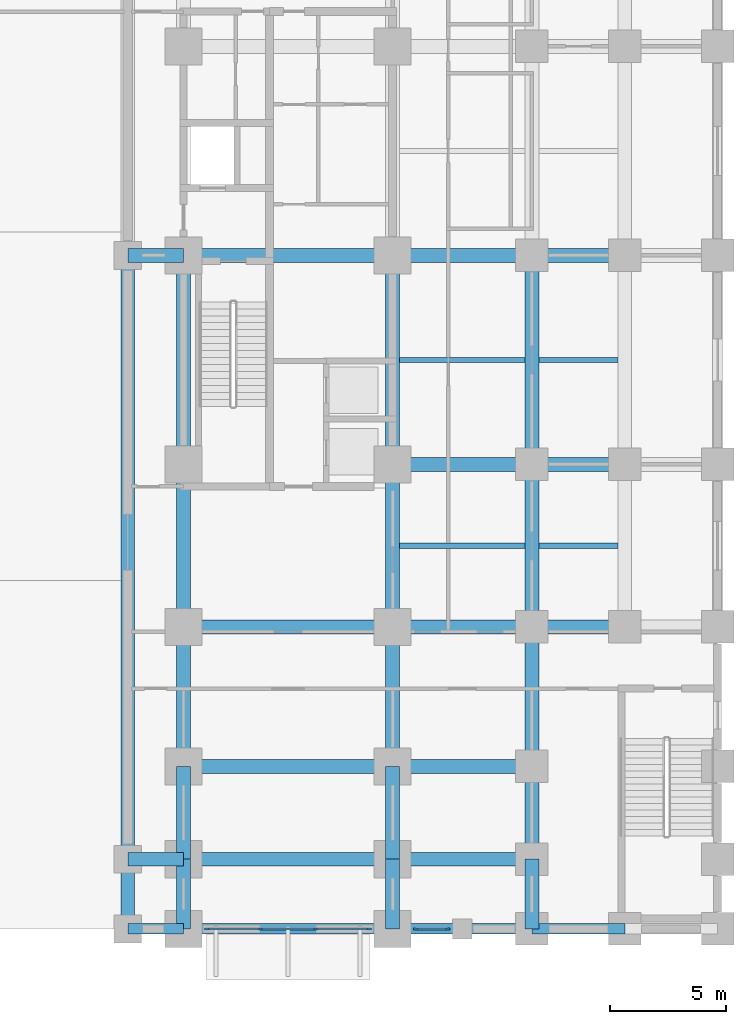
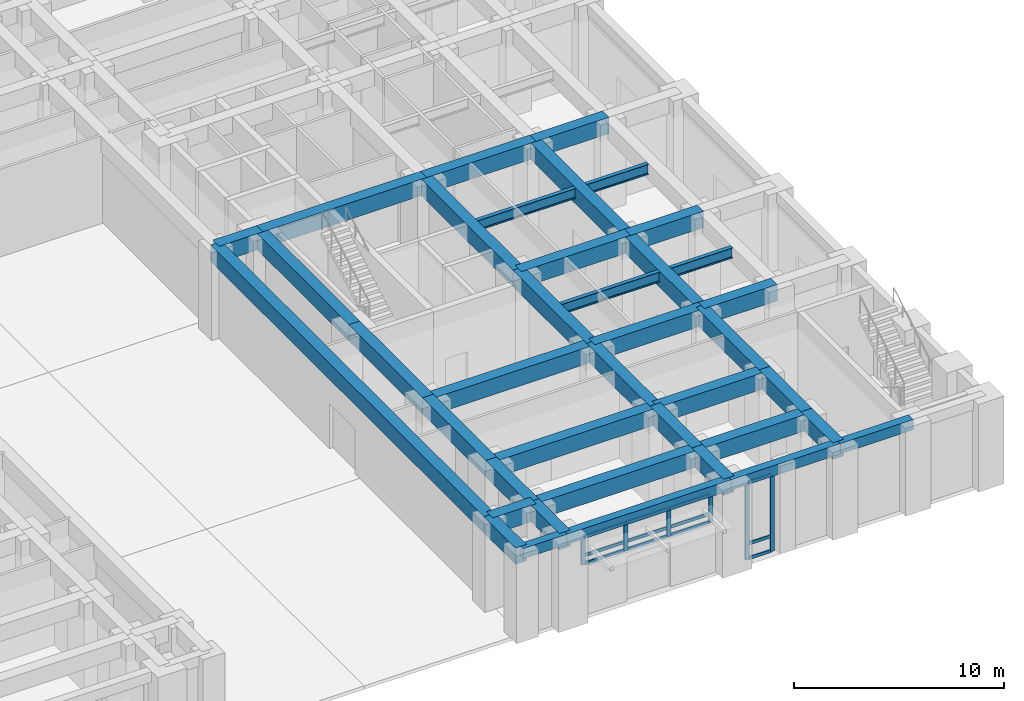
# One storey, part 3 of 20: 39 beams, 18 members, 2 elements without a shape of their own.
"""IFC4 building model written with IfcOpenShell, lengths in metres."""

from ifc_helpers import new_model, si_unit, direction, frame, origin, origin_2d, place, context, subcontext, project, spatial, rectangle, i_section, extrude, material, material_profile, profile_set, type_object, element, aggregate, save


model = new_model("IFC4")

# Units and contexts
model_context = context("Model", 3, precision=1e-05, world=origin(), true_north=direction((0.0, 1.0)))
body_context = subcontext(model_context, "Body", "Model", "MODEL_VIEW")
ifc_project = project(units=[si_unit("LENGTHUNIT", "METRE"), si_unit("AREAUNIT", "SQUARE_METRE"), si_unit("VOLUMEUNIT", "CUBIC_METRE"), si_unit("PLANEANGLEUNIT", "RADIAN"), si_unit("MASSUNIT", "GRAM", prefix="KILO")], contexts=[model_context])

# Site, building, storey
site_placement = place(None, origin())
site = spatial("IfcSite", under=ifc_project, at=site_placement, CompositionType="ELEMENT")
building_placement = place(site_placement, origin())
building = spatial("IfcBuilding", under=site, at=building_placement, Name="Zulmaris Gate Convention Tower", CompositionType="ELEMENT")
storey_placement = place(building_placement, origin())
storey = spatial("IfcBuildingStorey", under=building, at=storey_placement, Name="L00", CompositionType="ELEMENT", Elevation=0.0)

# Beams
ifc_material_1 = material(Name="Concrete C60/75", Category="concrete")
ifc_material_profile_1 = material_profile(ifc_material_1, rectangle(XDim=0.60009765625, YDim=0.949951171875, at=origin_2d()), Name="RC BEAM 600x950")
ifc_profile_set_1 = profile_set([ifc_material_profile_1], Name="Concrete C60/75")
beam_type_1 = type_object("IfcBeamType", Name="BM-RC600x950", PredefinedType="BEAM", material=ifc_profile_set_1)
beam_1_placement = place(storey_placement, frame((8.60009765625, -26.0, 4.614990234375), z_axis=(1.0, 0.0, 0.0), x_axis=(0.0, 1.0, 0.0)))
element("IfcBeam", 1, at=beam_1_placement, inside=storey, type_object=beam_type_1, Name="L00 Beam BM-L00-X--26.0-+8.6", PredefinedType="BEAM", context=body_context, shape_type="SweptSolid", body=[
    extrude(rectangle(XDim=0.60009765625, YDim=0.949951171875, at=origin_2d()), origin(), (0.0, 0.0, 1.0), 2.39990234375),
])
beam_2_placement = place(storey_placement, frame((11.0, -26.0, 4.614990234375), z_axis=(1.0, 0.0, 0.0), x_axis=(0.0, 1.0, 0.0)))
element("IfcBeam", 2, at=beam_2_placement, inside=storey, type_object=beam_type_1, Name="L00 Beam BM-L00-X--26.0-+11.0", PredefinedType="BEAM", context=body_context, shape_type="SweptSolid", body=[
    extrude(rectangle(XDim=0.60009765625, YDim=0.949951171875, at=origin_2d()), origin(), (0.0, 0.0, 1.0), 9.0),
])
beam_3_placement = place(storey_placement, frame((20.0, -26.0, 4.614990234375), z_axis=(1.0, 0.0, 0.0), x_axis=(0.0, 1.0, 0.0)))
element("IfcBeam", 3, at=beam_3_placement, inside=storey, type_object=beam_type_1, Name="L00 Beam BM-L00-X--26.0-+20.0", PredefinedType="BEAM", context=body_context, shape_type="SweptSolid", body=[
    extrude(rectangle(XDim=0.60009765625, YDim=0.949951171875, at=origin_2d()), origin(), (0.0, 0.0, 1.0), 6.0),
])
beam_4_placement = place(storey_placement, frame((11.0, -22.0, 4.614990234375), z_axis=(1.0, 0.0, 0.0), x_axis=(0.0, 1.0, 0.0)))
element("IfcBeam", 4, at=beam_4_placement, inside=storey, type_object=beam_type_1, Name="L00 Beam BM-L00-X--22.0-+11.0", PredefinedType="BEAM", context=body_context, shape_type="SweptSolid", body=[
    extrude(rectangle(XDim=0.60009765625, YDim=0.949951171875, at=origin_2d()), origin(), (0.0, 0.0, 1.0), 9.0),
])
beam_5_placement = place(storey_placement, frame((20.0, -22.0, 4.614990234375), z_axis=(1.0, 0.0, 0.0), x_axis=(0.0, 1.0, 0.0)))
element("IfcBeam", 5, at=beam_5_placement, inside=storey, type_object=beam_type_1, Name="L00 Beam BM-L00-X--22.0-+20.0", PredefinedType="BEAM", context=body_context, shape_type="SweptSolid", body=[
    extrude(rectangle(XDim=0.60009765625, YDim=0.949951171875, at=origin_2d()), origin(), (0.0, 0.0, 1.0), 6.0),
])
beam_6_placement = place(storey_placement, frame((11.0, -16.0, 4.614990234375), z_axis=(1.0, 0.0, 0.0), x_axis=(0.0, 1.0, 0.0)))
element("IfcBeam", 6, at=beam_6_placement, inside=storey, type_object=beam_type_1, Name="L00 Beam BM-L00-X--16.0-+11.0", PredefinedType="BEAM", context=body_context, shape_type="SweptSolid", body=[
    extrude(rectangle(XDim=0.60009765625, YDim=0.949951171875, at=origin_2d()), origin(), (0.0, 0.0, 1.0), 9.0),
])
beam_7_placement = place(storey_placement, frame((20.0, -16.0, 4.614990234375), z_axis=(1.0, 0.0, 0.0), x_axis=(0.0, 1.0, 0.0)))
element("IfcBeam", 7, at=beam_7_placement, inside=storey, type_object=beam_type_1, Name="L00 Beam BM-L00-X--16.0-+20.0", PredefinedType="BEAM", context=body_context, shape_type="SweptSolid", body=[
    extrude(rectangle(XDim=0.60009765625, YDim=0.949951171875, at=origin_2d()), origin(), (0.0, 0.0, 1.0), 6.0),
])
beam_8_placement = place(storey_placement, frame((26.0, -16.0, 4.614990234375), z_axis=(1.0, 0.0, 0.0), x_axis=(0.0, 1.0, 0.0)))
element("IfcBeam", 8, at=beam_8_placement, inside=storey, type_object=beam_type_1, Name="L00 Beam BM-L00-X--16.0-+26.0", PredefinedType="BEAM", context=body_context, shape_type="SweptSolid", body=[
    extrude(rectangle(XDim=0.60009765625, YDim=0.949951171875, at=origin_2d()), origin(), (0.0, 0.0, 1.0), 4.0),
])
beam_9_placement = place(storey_placement, frame((20.0, -9.0, 4.614990234375), z_axis=(1.0, 0.0, 0.0), x_axis=(0.0, 1.0, 0.0)))
element("IfcBeam", 9, at=beam_9_placement, inside=storey, type_object=beam_type_1, Name="L00 Beam BM-L00-X--9.0-+20.0", PredefinedType="BEAM", context=body_context, shape_type="SweptSolid", body=[
    extrude(rectangle(XDim=0.60009765625, YDim=0.949951171875, at=origin_2d()), origin(), (0.0, 0.0, 1.0), 6.0),
])
beam_10_placement = place(storey_placement, frame((26.0, -9.0, 4.614990234375), z_axis=(1.0, 0.0, 0.0), x_axis=(0.0, 1.0, 0.0)))
element("IfcBeam", 10, at=beam_10_placement, inside=storey, type_object=beam_type_1, Name="L00 Beam BM-L00-X--9.0-+26.0", PredefinedType="BEAM", context=body_context, shape_type="SweptSolid", body=[
    extrude(rectangle(XDim=0.60009765625, YDim=0.949951171875, at=origin_2d()), origin(), (0.0, 0.0, 1.0), 4.0),
])
beam_11_placement = place(storey_placement, frame((8.60009765625, 0.0, 4.614990234375), z_axis=(1.0, 0.0, 0.0), x_axis=(0.0, 1.0, 0.0)))
element("IfcBeam", 11, at=beam_11_placement, inside=storey, type_object=beam_type_1, Name="L00 Beam BM-L00-X-+0.0-+8.6", PredefinedType="BEAM", context=body_context, shape_type="SweptSolid", body=[
    extrude(rectangle(XDim=0.60009765625, YDim=0.949951171875, at=origin_2d()), origin(), (0.0, 0.0, 1.0), 2.39990234375),
])
beam_12_placement = place(storey_placement, frame((11.0, 0.0, 4.614990234375), z_axis=(1.0, 0.0, 0.0), x_axis=(0.0, 1.0, 0.0)))
element("IfcBeam", 12, at=beam_12_placement, inside=storey, type_object=beam_type_1, Name="L00 Beam BM-L00-X-+0.0-+11.0", PredefinedType="BEAM", context=body_context, shape_type="SweptSolid", body=[
    extrude(rectangle(XDim=0.60009765625, YDim=0.949951171875, at=origin_2d()), origin(), (0.0, 0.0, 1.0), 9.0),
])
beam_13_placement = place(storey_placement, frame((20.0, 0.0, 4.614990234375), z_axis=(1.0, 0.0, 0.0), x_axis=(0.0, 1.0, 0.0)))
element("IfcBeam", 13, at=beam_13_placement, inside=storey, type_object=beam_type_1, Name="L00 Beam BM-L00-X-+0.0-+20.0", PredefinedType="BEAM", context=body_context, shape_type="SweptSolid", body=[
    extrude(rectangle(XDim=0.60009765625, YDim=0.949951171875, at=origin_2d()), origin(), (0.0, 0.0, 1.0), 6.0),
])
beam_14_placement = place(storey_placement, frame((26.0, 0.0, 4.614990234375), z_axis=(1.0, 0.0, 0.0), x_axis=(0.0, 1.0, 0.0)))
element("IfcBeam", 14, at=beam_14_placement, inside=storey, type_object=beam_type_1, Name="L00 Beam BM-L00-X-+0.0-+26.0", PredefinedType="BEAM", context=body_context, shape_type="SweptSolid", body=[
    extrude(rectangle(XDim=0.60009765625, YDim=0.949951171875, at=origin_2d()), origin(), (0.0, 0.0, 1.0), 4.0),
])
beam_15_placement = place(storey_placement, frame((8.60009765625, -29.0, 4.614990234375), z_axis=(0.0, 1.0, 0.0), x_axis=(-1.0, 0.0, 0.0)))
element("IfcBeam", 15, at=beam_15_placement, inside=storey, type_object=beam_type_1, Name="L00 Beam BM-L00-Y-+8.6--29.0", PredefinedType="BEAM", context=body_context, shape_type="SweptSolid", body=[
    extrude(rectangle(XDim=0.60009765625, YDim=0.949951171875, at=origin_2d()), origin(), (0.0, 0.0, 1.0), 3.0),
])
beam_16_placement = place(storey_placement, frame((8.60009765625, -26.0, 4.614990234375), z_axis=(0.0, 1.0, 0.0), x_axis=(-1.0, 0.0, 0.0)))
element("IfcBeam", 16, at=beam_16_placement, inside=storey, type_object=beam_type_1, Name="L00 Beam BM-L00-Y-+8.6--26.0", PredefinedType="BEAM", context=body_context, shape_type="SweptSolid", body=[
    extrude(rectangle(XDim=0.60009765625, YDim=0.949951171875, at=origin_2d()), origin(), (0.0, 0.0, 1.0), 26.0),
])
beam_17_placement = place(storey_placement, frame((11.0, -29.0, 4.614990234375), z_axis=(0.0, 1.0, 0.0), x_axis=(-1.0, 0.0, 0.0)))
element("IfcBeam", 17, at=beam_17_placement, inside=storey, type_object=beam_type_1, Name="L00 Beam BM-L00-Y-+11.0--29.0", PredefinedType="BEAM", context=body_context, shape_type="SweptSolid", body=[
    extrude(rectangle(XDim=0.60009765625, YDim=0.949951171875, at=origin_2d()), origin(), (0.0, 0.0, 1.0), 3.0),
])
beam_18_placement = place(storey_placement, frame((11.0, -26.0, 4.614990234375), z_axis=(0.0, 1.0, 0.0), x_axis=(-1.0, 0.0, 0.0)))
element("IfcBeam", 18, at=beam_18_placement, inside=storey, type_object=beam_type_1, Name="L00 Beam BM-L00-Y-+11.0--26.0", PredefinedType="BEAM", context=body_context, shape_type="SweptSolid", body=[
    extrude(rectangle(XDim=0.60009765625, YDim=0.949951171875, at=origin_2d()), origin(), (0.0, 0.0, 1.0), 4.0),
])
beam_19_placement = place(storey_placement, frame((11.0, -22.0, 4.614990234375), z_axis=(0.0, 1.0, 0.0), x_axis=(-1.0, 0.0, 0.0)))
element("IfcBeam", 19, at=beam_19_placement, inside=storey, type_object=beam_type_1, Name="L00 Beam BM-L00-Y-+11.0--22.0", PredefinedType="BEAM", context=body_context, shape_type="SweptSolid", body=[
    extrude(rectangle(XDim=0.60009765625, YDim=0.949951171875, at=origin_2d()), origin(), (0.0, 0.0, 1.0), 6.0),
])
beam_20_placement = place(storey_placement, frame((11.0, -16.0, 4.614990234375), z_axis=(0.0, 1.0, 0.0), x_axis=(-1.0, 0.0, 0.0)))
element("IfcBeam", 20, at=beam_20_placement, inside=storey, type_object=beam_type_1, Name="L00 Beam BM-L00-Y-+11.0--16.0", PredefinedType="BEAM", context=body_context, shape_type="SweptSolid", body=[
    extrude(rectangle(XDim=0.60009765625, YDim=0.949951171875, at=origin_2d()), origin(), (0.0, 0.0, 1.0), 7.0),
])
beam_21_placement = place(storey_placement, frame((11.0, -9.0, 4.614990234375), z_axis=(0.0, 1.0, 0.0), x_axis=(-1.0, 0.0, 0.0)))
element("IfcBeam", 21, at=beam_21_placement, inside=storey, type_object=beam_type_1, Name="L00 Beam BM-L00-Y-+11.0--9.0", PredefinedType="BEAM", context=body_context, shape_type="SweptSolid", body=[
    extrude(rectangle(XDim=0.60009765625, YDim=0.949951171875, at=origin_2d()), origin(), (0.0, 0.0, 1.0), 9.0),
])
beam_22_placement = place(storey_placement, frame((20.0, -29.0, 4.614990234375), z_axis=(0.0, 1.0, 0.0), x_axis=(-1.0, 0.0, 0.0)))
element("IfcBeam", 22, at=beam_22_placement, inside=storey, type_object=beam_type_1, Name="L00 Beam BM-L00-Y-+20.0--29.0", PredefinedType="BEAM", context=body_context, shape_type="SweptSolid", body=[
    extrude(rectangle(XDim=0.60009765625, YDim=0.949951171875, at=origin_2d()), origin(), (0.0, 0.0, 1.0), 3.0),
])
beam_23_placement = place(storey_placement, frame((20.0, -26.0, 4.614990234375), z_axis=(0.0, 1.0, 0.0), x_axis=(-1.0, 0.0, 0.0)))
element("IfcBeam", 23, at=beam_23_placement, inside=storey, type_object=beam_type_1, Name="L00 Beam BM-L00-Y-+20.0--26.0", PredefinedType="BEAM", context=body_context, shape_type="SweptSolid", body=[
    extrude(rectangle(XDim=0.60009765625, YDim=0.949951171875, at=origin_2d()), origin(), (0.0, 0.0, 1.0), 4.0),
])
beam_24_placement = place(storey_placement, frame((20.0, -22.0, 4.614990234375), z_axis=(0.0, 1.0, 0.0), x_axis=(-1.0, 0.0, 0.0)))
element("IfcBeam", 24, at=beam_24_placement, inside=storey, type_object=beam_type_1, Name="L00 Beam BM-L00-Y-+20.0--22.0", PredefinedType="BEAM", context=body_context, shape_type="SweptSolid", body=[
    extrude(rectangle(XDim=0.60009765625, YDim=0.949951171875, at=origin_2d()), origin(), (0.0, 0.0, 1.0), 6.0),
])
beam_25_placement = place(storey_placement, frame((20.0, -16.0, 4.614990234375), z_axis=(0.0, 1.0, 0.0), x_axis=(-1.0, 0.0, 0.0)))
element("IfcBeam", 25, at=beam_25_placement, inside=storey, type_object=beam_type_1, Name="L00 Beam BM-L00-Y-+20.0--16.0", PredefinedType="BEAM", context=body_context, shape_type="SweptSolid", body=[
    extrude(rectangle(XDim=0.60009765625, YDim=0.949951171875, at=origin_2d()), origin(), (0.0, 0.0, 1.0), 7.0),
])
beam_26_placement = place(storey_placement, frame((20.0, -9.0, 4.614990234375), z_axis=(0.0, 1.0, 0.0), x_axis=(-1.0, 0.0, 0.0)))
element("IfcBeam", 26, at=beam_26_placement, inside=storey, type_object=beam_type_1, Name="L00 Beam BM-L00-Y-+20.0--9.0", PredefinedType="BEAM", context=body_context, shape_type="SweptSolid", body=[
    extrude(rectangle(XDim=0.60009765625, YDim=0.949951171875, at=origin_2d()), origin(), (0.0, 0.0, 1.0), 9.0),
])
beam_27_placement = place(storey_placement, frame((26.0, -29.0, 4.614990234375), z_axis=(0.0, 1.0, 0.0), x_axis=(-1.0, 0.0, 0.0)))
element("IfcBeam", 27, at=beam_27_placement, inside=storey, type_object=beam_type_1, Name="L00 Beam BM-L00-Y-+26.0--29.0", PredefinedType="BEAM", context=body_context, shape_type="SweptSolid", body=[
    extrude(rectangle(XDim=0.60009765625, YDim=0.949951171875, at=origin_2d()), origin(), (0.0, 0.0, 1.0), 3.0),
])
beam_28_placement = place(storey_placement, frame((26.0, -26.0, 4.614990234375), z_axis=(0.0, 1.0, 0.0), x_axis=(-1.0, 0.0, 0.0)))
element("IfcBeam", 28, at=beam_28_placement, inside=storey, type_object=beam_type_1, Name="L00 Beam BM-L00-Y-+26.0--26.0", PredefinedType="BEAM", context=body_context, shape_type="SweptSolid", body=[
    extrude(rectangle(XDim=0.60009765625, YDim=0.949951171875, at=origin_2d()), origin(), (0.0, 0.0, 1.0), 4.0),
])
beam_29_placement = place(storey_placement, frame((26.0, -22.0, 4.614990234375), z_axis=(0.0, 1.0, 0.0), x_axis=(-1.0, 0.0, 0.0)))
element("IfcBeam", 29, at=beam_29_placement, inside=storey, type_object=beam_type_1, Name="L00 Beam BM-L00-Y-+26.0--22.0", PredefinedType="BEAM", context=body_context, shape_type="SweptSolid", body=[
    extrude(rectangle(XDim=0.60009765625, YDim=0.949951171875, at=origin_2d()), origin(), (0.0, 0.0, 1.0), 6.0),
])
beam_30_placement = place(storey_placement, frame((26.0, -16.0, 4.614990234375), z_axis=(0.0, 1.0, 0.0), x_axis=(-1.0, 0.0, 0.0)))
element("IfcBeam", 30, at=beam_30_placement, inside=storey, type_object=beam_type_1, Name="L00 Beam BM-L00-Y-+26.0--16.0", PredefinedType="BEAM", context=body_context, shape_type="SweptSolid", body=[
    extrude(rectangle(XDim=0.60009765625, YDim=0.949951171875, at=origin_2d()), origin(), (0.0, 0.0, 1.0), 7.0),
])
beam_31_placement = place(storey_placement, frame((26.0, -9.0, 4.614990234375), z_axis=(0.0, 1.0, 0.0), x_axis=(-1.0, 0.0, 0.0)))
element("IfcBeam", 31, at=beam_31_placement, inside=storey, type_object=beam_type_1, Name="L00 Beam BM-L00-Y-+26.0--9.0", PredefinedType="BEAM", context=body_context, shape_type="SweptSolid", body=[
    extrude(rectangle(XDim=0.60009765625, YDim=0.949951171875, at=origin_2d()), origin(), (0.0, 0.0, 1.0), 9.0),
])
ifc_material_2 = material(Name="Precast concrete C50/60", Category="concrete")
ifc_material_profile_2 = material_profile(ifc_material_2, rectangle(XDim=0.449951171875, YDim=0.60009765625, at=origin_2d()), Name="RC SPANDREL 450x600")
ifc_profile_set_2 = profile_set([ifc_material_profile_2], Name="Precast concrete C50/60")
beam_type_2 = type_object("IfcBeamType", Name="BM-SP450x600", PredefinedType="SPANDREL", material=ifc_profile_set_2)
beam_32_placement = place(storey_placement, frame((8.60009765625, -29.0, 4.789794921875), z_axis=(1.0, 0.0, 0.0), x_axis=(0.0, 1.0, 0.0)))
element("IfcBeam", 32, at=beam_32_placement, inside=storey, type_object=beam_type_2, Name="L00 Spandrel BM-L00-X--29.0-+8.6", PredefinedType="SPANDREL", context=body_context, shape_type="SweptSolid", body=[
    extrude(rectangle(XDim=0.449951171875, YDim=0.60009765625, at=origin_2d()), origin(), (0.0, 0.0, 1.0), 2.39990234375),
])
beam_33_placement = place(storey_placement, frame((11.0, -29.0, 4.789794921875), z_axis=(1.0, 0.0, 0.0), x_axis=(0.0, 1.0, 0.0)))
element("IfcBeam", 33, at=beam_33_placement, inside=storey, type_object=beam_type_2, Name="L00 Spandrel BM-L00-X--29.0-+11.0", PredefinedType="SPANDREL", context=body_context, shape_type="SweptSolid", body=[
    extrude(rectangle(XDim=0.449951171875, YDim=0.60009765625, at=origin_2d()), origin(), (0.0, 0.0, 1.0), 9.0),
])
beam_34_placement = place(storey_placement, frame((20.0, -29.0, 4.789794921875), z_axis=(1.0, 0.0, 0.0), x_axis=(0.0, 1.0, 0.0)))
element("IfcBeam", 34, at=beam_34_placement, inside=storey, type_object=beam_type_2, Name="L00 Spandrel BM-L00-X--29.0-+20.0", PredefinedType="SPANDREL", context=body_context, shape_type="SweptSolid", body=[
    extrude(rectangle(XDim=0.449951171875, YDim=0.60009765625, at=origin_2d()), origin(), (0.0, 0.0, 1.0), 6.0),
])
beam_35_placement = place(storey_placement, frame((26.0, -29.0, 4.789794921875), z_axis=(1.0, 0.0, 0.0), x_axis=(0.0, 1.0, 0.0)))
element("IfcBeam", 35, at=beam_35_placement, inside=storey, type_object=beam_type_2, Name="L00 Spandrel BM-L00-X--29.0-+26.0", PredefinedType="SPANDREL", context=body_context, shape_type="SweptSolid", body=[
    extrude(rectangle(XDim=0.449951171875, YDim=0.60009765625, at=origin_2d()), origin(), (0.0, 0.0, 1.0), 4.0),
])

# Curtain wall, members
ifc_material_3 = material(Name="Anodised Aluminium", Category="aluminium")
curtain_wall_type = type_object("IfcCurtainWallType", Name="CW-01", PredefinedType="NOTDEFINED", material=ifc_material_3)
curtain_wall_1_placement = place(storey_placement, origin())
curtain_wall_1 = element("IfcCurtainWall", 36, at=curtain_wall_1_placement, inside=storey, type_object=curtain_wall_type, Name="CW-01 CW01-L00-S11_0", PredefinedType="NOTDEFINED")
ifc_material_profile_3 = material_profile(ifc_material_3, rectangle(XDim=0.090087890625, YDim=0.219970703125, at=origin_2d()), Name="ALU MULLION 90x220")
ifc_profile_set_3 = profile_set([ifc_material_profile_3], Name="Anodised Aluminium")
member_type_1 = type_object("IfcMemberType", Name="CW-01-MULL", PredefinedType="MULLION", material=ifc_profile_set_3)
member_1_placement = place(storey_placement, frame((12.0048828125, -29.0, 2.85009765625), z_axis=(0.0, 0.0, 1.0), x_axis=(0.0, 1.0, 0.0)))
member_1 = element("IfcMember", 37, at=member_1_placement, type_object=member_type_1, Name="CW-01 mullion 1", PredefinedType="MULLION", context=body_context, shape_type="SweptSolid", body=[
    extrude(rectangle(XDim=0.090087890625, YDim=0.219970703125, at=origin_2d()), origin(), (0.0, 0.0, 1.0), 1.6318359375),
])
member_2_placement = place(storey_placement, frame((14.320068359375, -29.0, 2.85009765625), z_axis=(0.0, 0.0, 1.0), x_axis=(0.0, 1.0, 0.0)))
member_2 = element("IfcMember", 38, at=member_2_placement, type_object=member_type_1, Name="CW-01 mullion 2", PredefinedType="MULLION", context=body_context, shape_type="SweptSolid", body=[
    extrude(rectangle(XDim=0.090087890625, YDim=0.219970703125, at=origin_2d()), origin(), (0.0, 0.0, 1.0), 1.6318359375),
])
member_3_placement = place(storey_placement, frame((16.679931640625, -29.0, 2.85009765625), z_axis=(0.0, 0.0, 1.0), x_axis=(0.0, 1.0, 0.0)))
member_3 = element("IfcMember", 39, at=member_3_placement, type_object=member_type_1, Name="CW-01 mullion 3", PredefinedType="MULLION", context=body_context, shape_type="SweptSolid", body=[
    extrude(rectangle(XDim=0.090087890625, YDim=0.219970703125, at=origin_2d()), origin(), (0.0, 0.0, 1.0), 1.6318359375),
])
member_4_placement = place(storey_placement, frame((18.9951171875, -29.0, 2.85009765625), z_axis=(0.0, 0.0, 1.0), x_axis=(0.0, 1.0, 0.0)))
member_4 = element("IfcMember", 40, at=member_4_placement, type_object=member_type_1, Name="CW-01 mullion 4", PredefinedType="MULLION", context=body_context, shape_type="SweptSolid", body=[
    extrude(rectangle(XDim=0.090087890625, YDim=0.219970703125, at=origin_2d()), origin(), (0.0, 0.0, 1.0), 1.6318359375),
])

curtain_wall_2_placement = place(storey_placement, origin())
curtain_wall_2 = element("IfcCurtainWall", 41, at=curtain_wall_2_placement, inside=storey, type_object=curtain_wall_type, Name="CW-01 CW01-L00-S20_0", PredefinedType="NOTDEFINED")
member_5_placement = place(storey_placement, frame((21.0048828125, -29.0, 0.0), z_axis=(0.0, 0.0, 1.0), x_axis=(0.0, 1.0, 0.0)))
member_5 = element("IfcMember", 42, at=member_5_placement, type_object=member_type_1, Name="CW-01 mullion 1", PredefinedType="MULLION", context=body_context, shape_type="SweptSolid", body=[
    extrude(rectangle(XDim=0.090087890625, YDim=0.219970703125, at=origin_2d()), origin(), (0.0, 0.0, 1.0), 4.48193359375),
])
member_6_placement = place(storey_placement, frame((22.3701171875, -29.0, 0.0), z_axis=(0.0, 0.0, 1.0), x_axis=(0.0, 1.0, 0.0)))
member_6 = element("IfcMember", 43, at=member_6_placement, type_object=member_type_1, Name="CW-01 mullion 2", PredefinedType="MULLION", context=body_context, shape_type="SweptSolid", body=[
    extrude(rectangle(XDim=0.090087890625, YDim=0.219970703125, at=origin_2d()), origin(), (0.0, 0.0, 1.0), 4.48193359375),
])

# Member
ifc_material_profile_4 = material_profile(ifc_material_3, rectangle(XDim=0.090087890625, YDim=0.179931640625, at=origin_2d()), Name="ALU TRANSOM 90x180")
ifc_profile_set_4 = profile_set([ifc_material_profile_4], Name="Anodised Aluminium")
member_type_2 = type_object("IfcMemberType", Name="CW-01-TRAN", PredefinedType="USERDEFINED", material=ifc_profile_set_4)
member_7_placement = place(storey_placement, frame((12.050048828125, -29.0, 2.89501953125), z_axis=(1.0, 0.0, 0.0), x_axis=(0.0, 1.0, 0.0)))
member_7 = element("IfcMember", 44, at=member_7_placement, type_object=member_type_2, Name="CW-01 transom 1.1", ObjectType="TRANSOM", PredefinedType="USERDEFINED", context=body_context, shape_type="SweptSolid", body=[
    extrude(rectangle(XDim=0.090087890625, YDim=0.179931640625, at=origin_2d()), origin(), (0.0, 0.0, 1.0), 2.224853515625),
])

member_8_placement = place(storey_placement, frame((12.050048828125, -29.0, 3.372314453125), z_axis=(1.0, 0.0, 0.0), x_axis=(0.0, 1.0, 0.0)))
member_8 = element("IfcMember", 45, at=member_8_placement, type_object=member_type_2, Name="CW-01 transom 1.2", ObjectType="TRANSOM", PredefinedType="USERDEFINED", context=body_context, shape_type="SweptSolid", body=[
    extrude(rectangle(XDim=0.090087890625, YDim=0.179931640625, at=origin_2d()), origin(), (0.0, 0.0, 1.0), 2.224853515625),
])

member_9_placement = place(storey_placement, frame((12.050048828125, -29.0, 4.43701171875), z_axis=(1.0, 0.0, 0.0), x_axis=(0.0, 1.0, 0.0)))
member_9 = element("IfcMember", 46, at=member_9_placement, type_object=member_type_2, Name="CW-01 transom 1.3", ObjectType="TRANSOM", PredefinedType="USERDEFINED", context=body_context, shape_type="SweptSolid", body=[
    extrude(rectangle(XDim=0.090087890625, YDim=0.179931640625, at=origin_2d()), origin(), (0.0, 0.0, 1.0), 2.224853515625),
])

member_10_placement = place(storey_placement, frame((14.364990234375, -29.0, 2.89501953125), z_axis=(1.0, 0.0, 0.0), x_axis=(0.0, 1.0, 0.0)))
member_10 = element("IfcMember", 47, at=member_10_placement, type_object=member_type_2, Name="CW-01 transom 2.1", ObjectType="TRANSOM", PredefinedType="USERDEFINED", context=body_context, shape_type="SweptSolid", body=[
    extrude(rectangle(XDim=0.090087890625, YDim=0.179931640625, at=origin_2d()), origin(), (0.0, 0.0, 1.0), 2.27001953125),
])

member_11_placement = place(storey_placement, frame((14.364990234375, -29.0, 3.372314453125), z_axis=(1.0, 0.0, 0.0), x_axis=(0.0, 1.0, 0.0)))
member_11 = element("IfcMember", 48, at=member_11_placement, type_object=member_type_2, Name="CW-01 transom 2.2", ObjectType="TRANSOM", PredefinedType="USERDEFINED", context=body_context, shape_type="SweptSolid", body=[
    extrude(rectangle(XDim=0.090087890625, YDim=0.179931640625, at=origin_2d()), origin(), (0.0, 0.0, 1.0), 2.27001953125),
])

member_12_placement = place(storey_placement, frame((14.364990234375, -29.0, 4.43701171875), z_axis=(1.0, 0.0, 0.0), x_axis=(0.0, 1.0, 0.0)))
member_12 = element("IfcMember", 49, at=member_12_placement, type_object=member_type_2, Name="CW-01 transom 2.3", ObjectType="TRANSOM", PredefinedType="USERDEFINED", context=body_context, shape_type="SweptSolid", body=[
    extrude(rectangle(XDim=0.090087890625, YDim=0.179931640625, at=origin_2d()), origin(), (0.0, 0.0, 1.0), 2.27001953125),
])

member_13_placement = place(storey_placement, frame((16.72509765625, -29.0, 2.89501953125), z_axis=(1.0, 0.0, 0.0), x_axis=(0.0, 1.0, 0.0)))
member_13 = element("IfcMember", 50, at=member_13_placement, type_object=member_type_2, Name="CW-01 transom 3.1", ObjectType="TRANSOM", PredefinedType="USERDEFINED", context=body_context, shape_type="SweptSolid", body=[
    extrude(rectangle(XDim=0.090087890625, YDim=0.179931640625, at=origin_2d()), origin(), (0.0, 0.0, 1.0), 2.224853515625),
])

member_14_placement = place(storey_placement, frame((16.72509765625, -29.0, 3.372314453125), z_axis=(1.0, 0.0, 0.0), x_axis=(0.0, 1.0, 0.0)))
member_14 = element("IfcMember", 51, at=member_14_placement, type_object=member_type_2, Name="CW-01 transom 3.2", ObjectType="TRANSOM", PredefinedType="USERDEFINED", context=body_context, shape_type="SweptSolid", body=[
    extrude(rectangle(XDim=0.090087890625, YDim=0.179931640625, at=origin_2d()), origin(), (0.0, 0.0, 1.0), 2.224853515625),
])

member_15_placement = place(storey_placement, frame((16.72509765625, -29.0, 4.43701171875), z_axis=(1.0, 0.0, 0.0), x_axis=(0.0, 1.0, 0.0)))
member_15 = element("IfcMember", 52, at=member_15_placement, type_object=member_type_2, Name="CW-01 transom 3.3", ObjectType="TRANSOM", PredefinedType="USERDEFINED", context=body_context, shape_type="SweptSolid", body=[
    extrude(rectangle(XDim=0.090087890625, YDim=0.179931640625, at=origin_2d()), origin(), (0.0, 0.0, 1.0), 2.224853515625),
])

aggregate(curtain_wall_1, [member_1, member_2, member_3, member_4, member_7, member_8, member_9, member_10, member_11, member_12, member_13, member_14, member_15])

member_16_placement = place(storey_placement, frame((21.050048828125, -29.0, 0.044921875), z_axis=(1.0, 0.0, 0.0), x_axis=(0.0, 1.0, 0.0)))
member_16 = element("IfcMember", 53, at=member_16_placement, type_object=member_type_2, Name="CW-01 transom 1.1", ObjectType="TRANSOM", PredefinedType="USERDEFINED", context=body_context, shape_type="SweptSolid", body=[
    extrude(rectangle(XDim=0.090087890625, YDim=0.179931640625, at=origin_2d()), origin(), (0.0, 0.0, 1.0), 1.27490234375),
])

member_17_placement = place(storey_placement, frame((21.050048828125, -29.0, 0.89990234375), z_axis=(1.0, 0.0, 0.0), x_axis=(0.0, 1.0, 0.0)))
member_17 = element("IfcMember", 54, at=member_17_placement, type_object=member_type_2, Name="CW-01 transom 1.2", ObjectType="TRANSOM", PredefinedType="USERDEFINED", context=body_context, shape_type="SweptSolid", body=[
    extrude(rectangle(XDim=0.090087890625, YDim=0.179931640625, at=origin_2d()), origin(), (0.0, 0.0, 1.0), 1.27490234375),
])

member_18_placement = place(storey_placement, frame((21.050048828125, -29.0, 4.43701171875), z_axis=(1.0, 0.0, 0.0), x_axis=(0.0, 1.0, 0.0)))
member_18 = element("IfcMember", 55, at=member_18_placement, type_object=member_type_2, Name="CW-01 transom 1.3", ObjectType="TRANSOM", PredefinedType="USERDEFINED", context=body_context, shape_type="SweptSolid", body=[
    extrude(rectangle(XDim=0.090087890625, YDim=0.179931640625, at=origin_2d()), origin(), (0.0, 0.0, 1.0), 1.27490234375),
])

aggregate(curtain_wall_2, [member_5, member_6, member_16, member_17, member_18])

# Beams
ifc_material_4 = material(Name="Steel S355", Category="steel")
ifc_material_profile_5 = material_profile(ifc_material_4, i_section(OverallWidth=0.219970703125, OverallDepth=0.60009765625, WebThickness=0.011962890625, FlangeThickness=0.01904296875, FilletRadius=0.02392578125, at=origin_2d()), Name="IPE 600")
ifc_profile_set_5 = profile_set([ifc_material_profile_5], Name="Steel S355")
beam_type_3 = type_object("IfcBeamType", Name="JT-IPE600", PredefinedType="JOIST", material=ifc_profile_set_5)
for number, where, z_axis, x_axis, name in (
    (56, (20.300048828125, -12.5, 4.787841796875), (1.0, 0.0, 0.0), (0.0, 1.0, 0.0), "L00 Joist JT-L00-+20_+26--12.5"),
    (57, (20.300048828125, -4.5, 4.787841796875), (1.0, 0.0, 0.0), (0.0, 1.0, 0.0), "L00 Joist JT-L00-+20_+26--4.5"),
):
    element("IfcBeam", number, at=place(storey_placement, frame(where, z_axis=z_axis, x_axis=x_axis)), inside=storey, type_object=beam_type_3, Name=name, PredefinedType="JOIST", context=body_context, shape_type="SweptSolid", body=[
        extrude(i_section(OverallWidth=0.219970703125, OverallDepth=0.60009765625, WebThickness=0.011962890625, FlangeThickness=0.01904296875, FilletRadius=0.02392578125, at=origin_2d()), origin(), (0.0, 0.0, 1.0), 5.39990234375),
    ])
for number, where, z_axis, x_axis, name in (
    (58, (26.300048828125, -12.5, 4.787841796875), (1.0, 0.0, 0.0), (0.0, 1.0, 0.0), "L00 Joist JT-L00-+26_+30--12.5"),
    (59, (26.300048828125, -4.5, 4.787841796875), (1.0, 0.0, 0.0), (0.0, 1.0, 0.0), "L00 Joist JT-L00-+26_+30--4.5"),
):
    element("IfcBeam", number, at=place(storey_placement, frame(where, z_axis=z_axis, x_axis=x_axis)), inside=storey, type_object=beam_type_3, Name=name, PredefinedType="JOIST", context=body_context, shape_type="SweptSolid", body=[
        extrude(i_section(OverallWidth=0.219970703125, OverallDepth=0.60009765625, WebThickness=0.011962890625, FlangeThickness=0.01904296875, FilletRadius=0.02392578125, at=origin_2d()), origin(), (0.0, 0.0, 1.0), 3.39990234375),
    ])

save(model, "model.ifc")
